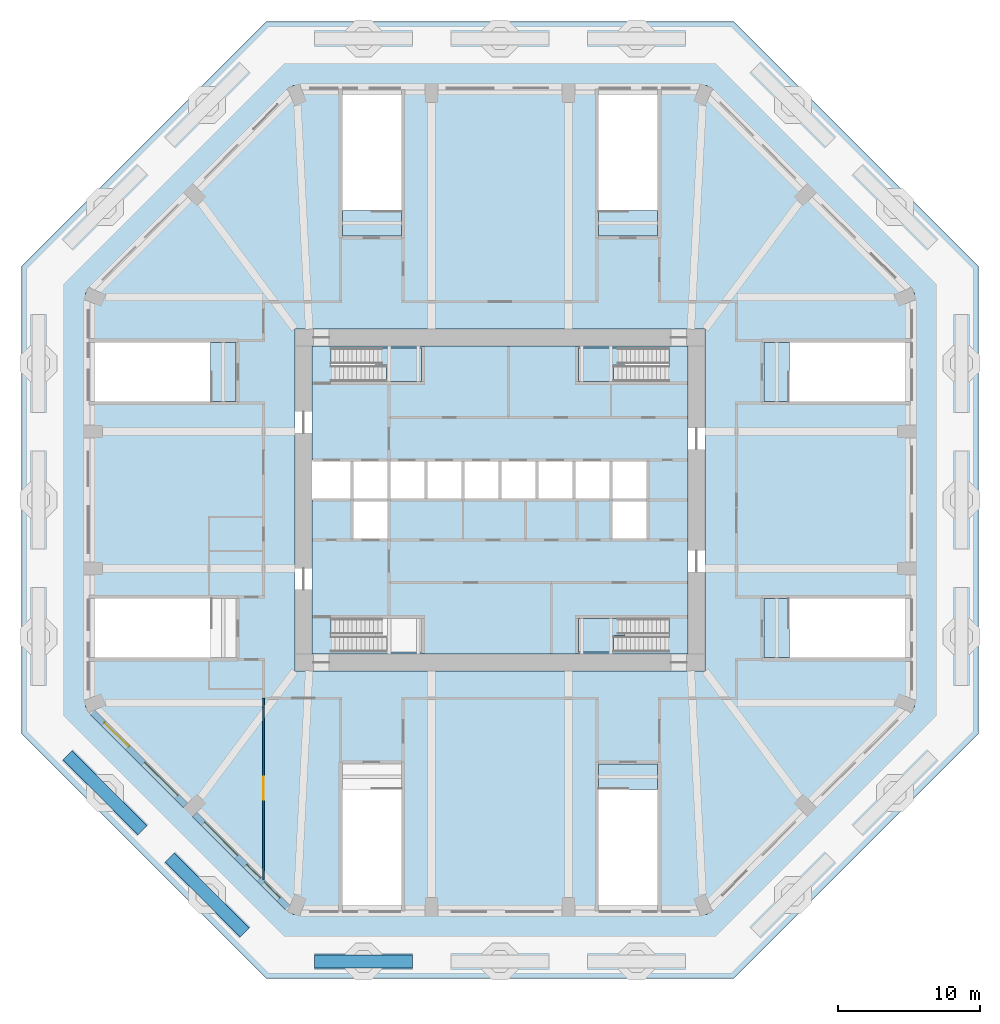
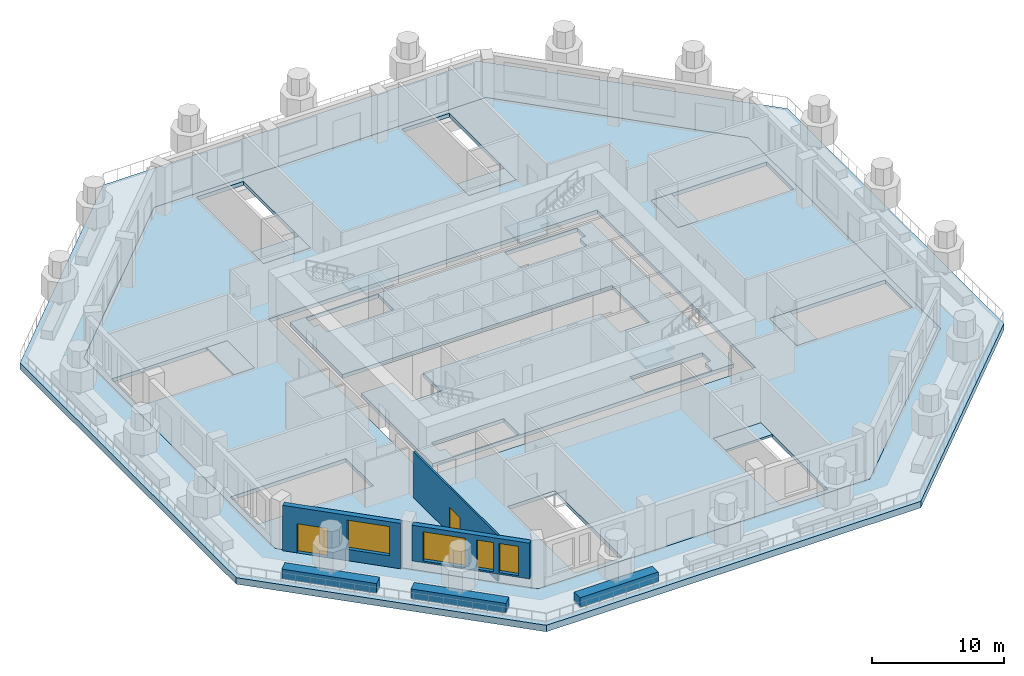
# One storey, part 2 of 13: 12 slabs, 6 walls, 4 windows, 2 doors, 6 openings, 3 elements without a shape of their own.
"""IFC4 building model written with IfcOpenShell, lengths in metres."""

from ifc_helpers import new_model, si_unit, direction, frame, frame_2d, origin, place, context, subcontext, project, spatial, polyline, rectangle, outline, extrude, material, layer, layer_set, type_object, element, fill, aggregate, save


model = new_model("IFC4")

# Units and contexts
model_context = context("Model", 3, precision=1e-05, world=origin(), true_north=direction((0.0, 1.0)))
body_context = subcontext(model_context, "Body", "Model", "MODEL_VIEW")
ifc_project = project(units=[si_unit("LENGTHUNIT", "METRE"), si_unit("AREAUNIT", "SQUARE_METRE"), si_unit("VOLUMEUNIT", "CUBIC_METRE"), si_unit("PLANEANGLEUNIT", "RADIAN"), si_unit("MASSUNIT", "GRAM", prefix="KILO")], contexts=[model_context])

# Site, building, storey
site_placement = place(None, origin())
site = spatial("IfcSite", under=ifc_project, at=site_placement, CompositionType="ELEMENT")
building_placement = place(site_placement, origin())
building = spatial("IfcBuilding", under=site, at=building_placement, Name="Msitu Wima Residences", CompositionType="ELEMENT")
storey_placement = place(building_placement, frame((0.0, 0.0, 21.0)))
storey = spatial("IfcBuildingStorey", under=building, at=storey_placement, Name="L04", CompositionType="ELEMENT", Elevation=21.0)

# Slabs
ifc_material_1 = material(Name="Concrete C40/50", Category="concrete")
ifc_layer_1 = layer(ifc_material_1, 0.35009765625)
ifc_layer_set_1 = layer_set([ifc_layer_1], Name="Concrete C40/50")
slab_type_1 = type_object("IfcSlabType", Name="Core floor CF350", PredefinedType="FLOOR", material=ifc_layer_set_1)
slab_1_placement = place(storey_placement, frame((0.0, 0.0, -0.35009765625)))
element("IfcSlab", 1, at=slab_1_placement, inside=storey, type_object=slab_type_1, Name="Core floor", PredefinedType="FLOOR", context=body_context, shape_type="SweptSolid", body=[
    extrude(outline(polyline([(-13.199951171875, 10.800048828125), (-13.199951171875, 2.800048828125), (-10.39990234375, 2.800048828125), (-7.800048828125, 2.800048828125), (-5.199951171875, 2.800048828125), (-2.60009765625, 2.800048828125), (0.0, 2.800048828125), (2.60009765625, 2.800048828125), (5.199951171875, 2.800048828125), (7.800048828125, 2.800048828125), (10.39990234375, 2.800048828125), (10.39990234375, 0.0), (10.39990234375, -2.800048828125), (7.800048828125, -2.800048828125), (7.800048828125, 0.0), (5.199951171875, 0.0), (2.60009765625, 0.0), (0.0, 0.0), (-2.60009765625, 0.0), (-5.199951171875, 0.0), (-7.800048828125, 0.0), (-7.800048828125, -2.800048828125), (-10.39990234375, -2.800048828125), (-10.39990234375, 0.0), (-13.199951171875, 0.0), (-13.199951171875, -10.800048828125), (13.199951171875, -10.800048828125), (13.199951171875, 10.800048828125), (-13.199951171875, 10.800048828125)]), holes=[polyline([(-11.375, -10.675048828125), (-11.375, -9.574951171875), (-11.87451171875, -9.574951171875), (-11.87451171875, -8.324951171875), (-5.52490234375, -8.324951171875), (-5.52490234375, -10.675048828125), (-11.375, -10.675048828125)]), polyline([(-11.375, 9.425048828125), (-11.87451171875, 9.425048828125), (-11.87451171875, 10.675048828125), (-5.52490234375, 10.675048828125), (-5.52490234375, 8.324951171875), (-11.375, 8.324951171875), (-11.375, 9.425048828125)]), polyline([(11.375, -9.574951171875), (11.375, -10.675048828125), (5.52490234375, -10.675048828125), (5.52490234375, -8.324951171875), (11.87451171875, -8.324951171875), (11.87451171875, -9.574951171875), (11.375, -9.574951171875)]), polyline([(11.375, 9.425048828125), (11.375, 8.324951171875), (5.52490234375, 8.324951171875), (5.52490234375, 10.675048828125), (11.87451171875, 10.675048828125), (11.87451171875, 9.425048828125), (11.375, 9.425048828125)])]), origin(), (0.0, 0.0, 1.0), 0.35009765625),
])
ifc_layer_2 = layer(ifc_material_1, 0.35009765625)
ifc_layer_set_2 = layer_set([ifc_layer_2], Name="Concrete C40/50")
slab_type_2 = type_object("IfcSlabType", Name="PT flat slab 350 Concrete C40/50", PredefinedType="FLOOR", material=ifc_layer_set_2)
slab_2_placement = place(storey_placement, frame((0.0, 0.0, -0.35009765625)))
element("IfcSlab", 2, at=slab_2_placement, inside=storey, type_object=slab_type_2, Name="Floor slab L04", PredefinedType="FLOOR", context=body_context, shape_type="SweptSolid", body=[
    extrude(outline(polyline([(29.10009765625, -14.524169921875), (14.524169921875, -29.10009765625), (-14.524169921875, -29.10009765625), (-29.10009765625, -14.524169921875), (-29.10009765625, 14.524169921875), (-14.524169921875, 29.10009765625), (14.524169921875, 29.10009765625), (29.10009765625, 14.524169921875), (29.10009765625, -14.524169921875)]), holes=[polyline([(-14.39990234375, -12.0), (14.39990234375, -12.0), (14.39990234375, 12.0), (-14.39990234375, 12.0), (-14.39990234375, -12.0)]), polyline([(18.52490234375, 11.074951171875), (28.675048828125, 11.074951171875), (28.675048828125, 6.925048828125), (18.52490234375, 6.925048828125), (18.52490234375, 11.074951171875)]), polyline([(28.675048828125, -6.925048828125), (28.675048828125, -11.074951171875), (18.52490234375, -11.074951171875), (18.52490234375, -6.925048828125), (28.675048828125, -6.925048828125)]), polyline([(-11.074951171875, 18.52490234375), (-11.074951171875, 28.675048828125), (-6.925048828125, 28.675048828125), (-6.925048828125, 18.52490234375), (-11.074951171875, 18.52490234375)]), polyline([(6.925048828125, 28.675048828125), (11.074951171875, 28.675048828125), (11.074951171875, 18.52490234375), (6.925048828125, 18.52490234375), (6.925048828125, 28.675048828125)]), polyline([(-18.52490234375, -11.074951171875), (-28.675048828125, -11.074951171875), (-28.675048828125, -6.925048828125), (-18.52490234375, -6.925048828125), (-18.52490234375, -11.074951171875)]), polyline([(-28.675048828125, 6.925048828125), (-28.675048828125, 11.074951171875), (-18.52490234375, 11.074951171875), (-18.52490234375, 6.925048828125), (-28.675048828125, 6.925048828125)]), polyline([(11.074951171875, -18.52490234375), (11.074951171875, -28.675048828125), (6.925048828125, -28.675048828125), (6.925048828125, -18.52490234375), (11.074951171875, -18.52490234375)]), polyline([(-6.925048828125, -28.675048828125), (-11.074951171875, -28.675048828125), (-11.074951171875, -18.52490234375), (-6.925048828125, -18.52490234375), (-6.925048828125, -28.675048828125)])]), origin(), (0.0, 0.0, 1.0), 0.35009765625),
])

# Stair, slab
stair_type = type_object("IfcStairType", Name="Exit stair ES1667-110", PredefinedType="HALF_TURN_STAIR", material=ifc_material_1)
stair_1_placement = place(storey_placement, origin())
stair_1 = element("IfcStair", 3, at=stair_1_placement, inside=storey, type_object=stair_type, Name="Exit stair 1", PredefinedType="HALF_TURN_STAIR")
ifc_layer_3 = layer(ifc_material_1, 0.199951171875)
ifc_layer_set_3 = layer_set([ifc_layer_3], Name="Concrete C40/50")
slab_type_3 = type_object("IfcSlabType", Name="Stair landing SL200", PredefinedType="LANDING", material=ifc_layer_set_3)
slab_3_placement = place(storey_placement, frame((0.0, 0.0, 2.13330078125)))
slab_3 = element("IfcSlab", 4, at=slab_3_placement, type_object=slab_type_3, Name="S1 landing 1", PredefinedType="LANDING", context=body_context, shape_type="SweptSolid", body=[
    extrude(outline(polyline([(-5.52490234375, 8.324951171875), (-7.9755859375, 8.324951171875), (-7.9755859375, 9.5), (-8.77490234375, 9.5), (-8.77490234375, 10.675048828125), (-5.52490234375, 10.675048828125), (-5.52490234375, 8.324951171875)])), origin(), (0.0, 0.0, 1.0), 0.199951171875),
])
aggregate(stair_1, [slab_3])

stair_2_placement = place(storey_placement, origin())
stair_2 = element("IfcStair", 5, at=stair_2_placement, inside=storey, type_object=stair_type, Name="Exit stair 3", PredefinedType="HALF_TURN_STAIR")
slab_4_placement = place(storey_placement, frame((0.0, 0.0, 2.13330078125)))
slab_4 = element("IfcSlab", 6, at=slab_4_placement, type_object=slab_type_3, Name="S3 landing 1", PredefinedType="LANDING", context=body_context, shape_type="SweptSolid", body=[
    extrude(outline(polyline([(5.52490234375, 8.324951171875), (7.9755859375, 8.324951171875), (7.9755859375, 9.5), (8.77490234375, 9.5), (8.77490234375, 10.675048828125), (5.52490234375, 10.675048828125), (5.52490234375, 8.324951171875)])), origin(), (0.0, 0.0, 1.0), 0.199951171875),
])
aggregate(stair_2, [slab_4])

stair_3_placement = place(storey_placement, origin())
stair_3 = element("IfcStair", 7, at=stair_3_placement, inside=storey, type_object=stair_type, Name="Exit stair 4", PredefinedType="HALF_TURN_STAIR")
slab_5_placement = place(storey_placement, frame((0.0, 0.0, 2.13330078125)))
slab_5 = element("IfcSlab", 8, at=slab_5_placement, type_object=slab_type_3, Name="S4 landing 1", PredefinedType="LANDING", context=body_context, shape_type="SweptSolid", body=[
    extrude(outline(polyline([(5.52490234375, -10.675048828125), (7.9755859375, -10.675048828125), (7.9755859375, -9.5), (8.77490234375, -9.5), (8.77490234375, -8.324951171875), (5.52490234375, -8.324951171875), (5.52490234375, -10.675048828125)])), origin(), (0.0, 0.0, 1.0), 0.199951171875),
])
aggregate(stair_3, [slab_5])

# Slabs
slab_6_placement = place(storey_placement, frame((0.0, 0.0, -0.199951171875)))
element("IfcSlab", 9, at=slab_6_placement, inside=storey, type_object=slab_type_3, Name="Podium exit stair 1 floor landing", PredefinedType="LANDING", context=body_context, shape_type="SweptSolid", body=[
    extrude(outline(polyline([(18.52490234375, 6.925048828125), (20.324951171875, 6.925048828125), (20.324951171875, 11.074951171875), (18.52490234375, 11.074951171875), (18.52490234375, 6.925048828125)])), origin(), (0.0, 0.0, 1.0), 0.199951171875),
])
slab_7_placement = place(storey_placement, frame((0.0, 0.0, -0.199951171875)))
element("IfcSlab", 10, at=slab_7_placement, inside=storey, type_object=slab_type_3, Name="Podium exit stair 2 floor landing", PredefinedType="LANDING", context=body_context, shape_type="SweptSolid", body=[
    extrude(outline(polyline([(18.52490234375, -6.925048828125), (20.324951171875, -6.925048828125), (20.324951171875, -11.074951171875), (18.52490234375, -11.074951171875), (18.52490234375, -6.925048828125)])), origin(), (0.0, 0.0, 1.0), 0.199951171875),
])
slab_8_placement = place(storey_placement, frame((0.0, 0.0, -0.199951171875)))
element("IfcSlab", 11, at=slab_8_placement, inside=storey, type_object=slab_type_3, Name="Podium exit stair 3 floor landing", PredefinedType="LANDING", context=body_context, shape_type="SweptSolid", body=[
    extrude(outline(polyline([(-6.925048828125, 18.52490234375), (-6.925048828125, 20.324951171875), (-11.074951171875, 20.324951171875), (-11.074951171875, 18.52490234375), (-6.925048828125, 18.52490234375)])), origin(), (0.0, 0.0, 1.0), 0.199951171875),
])
slab_9_placement = place(storey_placement, frame((0.0, 0.0, -0.199951171875)))
element("IfcSlab", 12, at=slab_9_placement, inside=storey, type_object=slab_type_3, Name="Podium exit stair 4 floor landing", PredefinedType="LANDING", context=body_context, shape_type="SweptSolid", body=[
    extrude(outline(polyline([(6.925048828125, 18.52490234375), (6.925048828125, 20.324951171875), (11.074951171875, 20.324951171875), (11.074951171875, 18.52490234375), (6.925048828125, 18.52490234375)])), origin(), (0.0, 0.0, 1.0), 0.199951171875),
])
slab_10_placement = place(storey_placement, frame((0.0, 0.0, -0.199951171875)))
element("IfcSlab", 13, at=slab_10_placement, inside=storey, type_object=slab_type_3, Name="Podium exit stair 6 floor landing", PredefinedType="LANDING", context=body_context, shape_type="SweptSolid", body=[
    extrude(outline(polyline([(-18.52490234375, 6.925048828125), (-20.324951171875, 6.925048828125), (-20.324951171875, 11.074951171875), (-18.52490234375, 11.074951171875), (-18.52490234375, 6.925048828125)])), origin(), (0.0, 0.0, 1.0), 0.199951171875),
])
slab_11_placement = place(storey_placement, frame((0.0, 0.0, -0.199951171875)))
element("IfcSlab", 14, at=slab_11_placement, inside=storey, type_object=slab_type_3, Name="Podium exit stair 7 floor landing", PredefinedType="LANDING", context=body_context, shape_type="SweptSolid", body=[
    extrude(outline(polyline([(6.925048828125, -18.52490234375), (6.925048828125, -20.324951171875), (11.074951171875, -20.324951171875), (11.074951171875, -18.52490234375), (6.925048828125, -18.52490234375)])), origin(), (0.0, 0.0, 1.0), 0.199951171875),
])
ifc_layer_4 = layer(ifc_material_1, 0.60009765625)
ifc_layer_set_4 = layer_set([ifc_layer_4], Name="Concrete C40/50")
slab_type_4 = type_object("IfcSlabType", Name="Terrace roof slab TS600", PredefinedType="ROOF", material=ifc_layer_set_4)
slab_12_placement = place(storey_placement, frame((0.0, 0.0, -0.60009765625)))
element("IfcSlab", 15, at=slab_12_placement, inside=storey, type_object=slab_type_4, Name="Garden terrace L03 roof slab", PredefinedType="ROOF", context=body_context, shape_type="SweptSolid", body=[
    extrude(outline(polyline([(16.38818359375, -33.60009765625), (-16.38818359375, -33.60009765625), (-33.60009765625, -16.38818359375), (-33.60009765625, 16.38818359375), (-16.38818359375, 33.60009765625), (16.38818359375, 33.60009765625), (33.60009765625, 16.38818359375), (33.60009765625, -16.38818359375), (16.38818359375, -33.60009765625)]), holes=[polyline([(29.10009765625, 14.524169921875), (14.524169921875, 29.10009765625), (-14.524169921875, 29.10009765625), (-29.10009765625, 14.524169921875), (-29.10009765625, -14.524169921875), (-14.524169921875, -29.10009765625), (14.524169921875, -29.10009765625), (29.10009765625, -14.524169921875), (29.10009765625, 14.524169921875)])]), origin(), (0.0, 0.0, 1.0), 0.60009765625),
])

# Wall, openings, door, window
ifc_material_2 = material(Name="Brick (red buff mix), cavity wall of two leaves", Category="masonry")
ifc_layer_5 = layer(ifc_material_2, 0.449951171875)
ifc_layer_set_5 = layer_set([ifc_layer_5], Name="Brick (red buff mix), cavity wall of two leaves")
wall_type_1 = type_object("IfcWallType", Name="Brick infill wall BW450 podium", PredefinedType="ELEMENTEDWALL", material=ifc_layer_set_5)
wall_1_placement = place(storey_placement, frame((-28.61474609375, -14.903564453125, 0.0), z_axis=(0.0, 0.0, 1.0), x_axis=(0.707106781187, -0.707106781187, 0.0)))
wall_1 = element("IfcWall", 16, at=wall_1_placement, inside=storey, type_object=wall_type_1, Name="Brick infill wall L04 SW0", PredefinedType="ELEMENTEDWALL", context=body_context, shape_type="SweptSolid", body=[
    extrude(rectangle(XDim=9.2451171875, YDim=0.449951171875, at=frame_2d((4.62255859375, 0.0))), origin(), (0.0, 0.0, 1.0), 4.199951171875),
])
opening_1_placement = place(wall_1_placement, frame((1.111328125, 0.0, 0.0)))
opening_1 = element("IfcOpeningElement", 17, at=opening_1_placement, cuts=wall_1, Name="Opening D04.007", PredefinedType="OPENING", context=body_context, shape_type="SweptSolid", body=[
    extrude(rectangle(XDim=2.39990234375, YDim=2.699951171875, at=frame_2d((1.199951171875, 1.35009765625))), frame((0.0, 0.23486328125, 0.0), z_axis=(0.0, -1.0, 0.0), x_axis=(1.0, 0.0, 0.0)), (0.0, 0.0, 1.0), 0.469970703125),
])
opening_2_placement = place(wall_1_placement, frame((5.072509765625, 0.0, 1.050048828125)))
opening_2 = element("IfcOpeningElement", 18, at=opening_2_placement, cuts=wall_1, Name="Opening W04.031", PredefinedType="OPENING", context=body_context, shape_type="SweptSolid", body=[
    extrude(rectangle(XDim=3.300048828125, YDim=2.699951171875, at=frame_2d((1.64990234375, 1.35009765625))), frame((0.0, 0.23486328125, 0.0), z_axis=(0.0, -1.0, 0.0), x_axis=(1.0, 0.0, 0.0)), (0.0, 0.0, 1.0), 0.469970703125),
])
ifc_material_3 = material(Name="Anodised aluminium, bronze finish, clear low-emissivity double glazing", Category="aluminium")
door_type_1 = type_object("IfcDoorType", Name="Balcony door D2400x2700", OperationType="SLIDING_TO_LEFT", PredefinedType="DOOR", material=ifc_material_3)
door_1_placement = place(opening_1_placement, origin())
door_1 = element("IfcDoor", 19, at=door_1_placement, inside=storey, type_object=door_type_1, Name="Terrace door L04 SW0", OperationType="SINGLE_SWING_LEFT", OverallHeight=2.699951171875, OverallWidth=2.39990234375, PredefinedType="DOOR", context=body_context, shape_type="SweptSolid", body=[
    extrude(rectangle(XDim=2.39990234375, YDim=2.699951171875, at=frame_2d((1.199951171875, 1.35009765625))), frame((0.0, 0.1298828125, 0.0), z_axis=(0.0, -1.0, 0.0), x_axis=(1.0, 0.0, 0.0)), (0.0, 0.0, 1.0), 0.050048828125),
])
fill(opening_1, door_1)
window_type_1 = type_object("IfcWindowType", Name="Window W3300x2700", PartitioningType="DOUBLE_PANEL_VERTICAL", PredefinedType="WINDOW", material=ifc_material_3)
window_1_placement = place(opening_2_placement, origin())
window_1 = element("IfcWindow", 20, at=window_1_placement, inside=storey, type_object=window_type_1, Name="Window L04 SW0.2", OverallHeight=2.699951171875, OverallWidth=3.300048828125, PartitioningType="SINGLE_PANEL", PredefinedType="WINDOW", context=body_context, shape_type="SweptSolid", body=[
    extrude(rectangle(XDim=3.300048828125, YDim=2.699951171875, at=frame_2d((1.64990234375, 1.35009765625))), frame((0.0, 0.135009765625, 0.0), z_axis=(0.0, -1.0, 0.0), x_axis=(1.0, 0.0, 0.0)), (0.0, 0.0, 1.0), 0.06005859375),
])
fill(opening_2, window_1)

# Wall, openings, windows
wall_2_placement = place(storey_placement, frame((-21.44091796875, -22.077392578125, 0.89990234375), z_axis=(0.0, 0.0, 1.0), x_axis=(0.707106781187, -0.707106781187, 0.0)))
wall_2 = element("IfcWall", 21, at=wall_2_placement, inside=storey, type_object=wall_type_1, Name="Brick infill wall L04 SW1", PredefinedType="ELEMENTEDWALL", context=body_context, shape_type="SweptSolid", body=[
    extrude(rectangle(XDim=9.2451171875, YDim=0.449951171875, at=frame_2d((4.62255859375, 0.0))), origin(), (0.0, 0.0, 1.0), 3.300048828125),
])
opening_3_placement = place(wall_2_placement, frame((0.87255859375, 0.0, 0.14990234375)))
opening_3 = element("IfcOpeningElement", 22, at=opening_3_placement, cuts=wall_2, Name="Opening W04.032", PredefinedType="OPENING", context=body_context, shape_type="SweptSolid", body=[
    extrude(rectangle(XDim=3.300048828125, YDim=2.699951171875, at=frame_2d((1.64990234375, 1.35009765625))), frame((0.0, 0.23486328125, 0.0), z_axis=(0.0, -1.0, 0.0), x_axis=(1.0, 0.0, 0.0)), (0.0, 0.0, 1.0), 0.469970703125),
])
opening_4_placement = place(wall_2_placement, frame((5.072509765625, 0.0, 0.14990234375)))
opening_4 = element("IfcOpeningElement", 23, at=opening_4_placement, cuts=wall_2, Name="Opening W04.033", PredefinedType="OPENING", context=body_context, shape_type="SweptSolid", body=[
    extrude(rectangle(XDim=1.35009765625, YDim=2.699951171875, at=frame_2d((0.675048828125, 1.35009765625))), frame((0.0, 0.23486328125, 0.0), z_axis=(0.0, -1.0, 0.0), x_axis=(1.0, 0.0, 0.0)), (0.0, 0.0, 1.0), 0.469970703125),
])
opening_5_placement = place(wall_2_placement, frame((6.820556640625, 0.0, 0.14990234375)))
opening_5 = element("IfcOpeningElement", 24, at=opening_5_placement, cuts=wall_2, Name="Opening W04.034", PredefinedType="OPENING", context=body_context, shape_type="SweptSolid", body=[
    extrude(rectangle(XDim=1.550048828125, YDim=2.699951171875, at=frame_2d((0.77490234375, 1.35009765625))), frame((0.0, 0.23486328125, 0.0), z_axis=(0.0, -1.0, 0.0), x_axis=(1.0, 0.0, 0.0)), (0.0, 0.0, 1.0), 0.469970703125),
])
window_type_2 = type_object("IfcWindowType", Name="Window W1350x2700", PartitioningType="DOUBLE_PANEL_VERTICAL", PredefinedType="WINDOW", material=ifc_material_3)
window_2_placement = place(opening_4_placement, origin())
window_2 = element("IfcWindow", 25, at=window_2_placement, inside=storey, type_object=window_type_2, Name="Window L04 SW1.2a", OverallHeight=2.699951171875, OverallWidth=1.35009765625, PartitioningType="SINGLE_PANEL", PredefinedType="WINDOW", context=body_context, shape_type="SweptSolid", body=[
    extrude(rectangle(XDim=1.35009765625, YDim=2.699951171875, at=frame_2d((0.675048828125, 1.35009765625))), frame((0.0, 0.135009765625, 0.0), z_axis=(0.0, -1.0, 0.0), x_axis=(1.0, 0.0, 0.0)), (0.0, 0.0, 1.0), 0.06005859375),
])
fill(opening_4, window_2)
window_type_3 = type_object("IfcWindowType", Name="Window W1550x2700", PartitioningType="DOUBLE_PANEL_VERTICAL", PredefinedType="WINDOW", material=ifc_material_3)
window_3_placement = place(opening_5_placement, origin())
window_3 = element("IfcWindow", 26, at=window_3_placement, inside=storey, type_object=window_type_3, Name="Window L04 SW1.2b", OverallHeight=2.699951171875, OverallWidth=1.550048828125, PartitioningType="SINGLE_PANEL", PredefinedType="WINDOW", context=body_context, shape_type="SweptSolid", body=[
    extrude(rectangle(XDim=1.550048828125, YDim=2.699951171875, at=frame_2d((0.77490234375, 1.35009765625))), frame((0.0, 0.135009765625, 0.0), z_axis=(0.0, -1.0, 0.0), x_axis=(1.0, 0.0, 0.0)), (0.0, 0.0, 1.0), 0.06005859375),
])
fill(opening_5, window_3)
window_4_placement = place(opening_3_placement, origin())
window_4 = element("IfcWindow", 27, at=window_4_placement, inside=storey, type_object=window_type_1, Name="Window L04 SW1.1", OverallHeight=2.699951171875, OverallWidth=3.300048828125, PartitioningType="SINGLE_PANEL", PredefinedType="WINDOW", context=body_context, shape_type="SweptSolid", body=[
    extrude(rectangle(XDim=3.300048828125, YDim=2.699951171875, at=frame_2d((1.64990234375, 1.35009765625))), frame((0.0, 0.135009765625, 0.0), z_axis=(0.0, -1.0, 0.0), x_axis=(1.0, 0.0, 0.0)), (0.0, 0.0, 1.0), 0.06005859375),
])
fill(opening_3, window_4)

# Wall, opening, door
ifc_material_4 = material(Name="Plaster")
ifc_layer_6 = layer(ifc_material_4, 0.011962890625, Name="Plaster")
ifc_material_5 = material(Name="Concrete blockwork", Category="masonry")
ifc_layer_7 = layer(ifc_material_5, 0.1259765625, Name="Concrete blockwork")
ifc_layer_8 = layer(ifc_material_4, 0.011962890625, Name="Plaster")
ifc_layer_set_6 = layer_set([ifc_layer_6, ifc_layer_7, ifc_layer_8], Name="Concrete blockwork")
wall_type_2 = type_object("IfcWallType", Name="Partition PW150", PredefinedType="PARTITIONING", material=ifc_layer_set_6)
wall_3_placement = place(storey_placement, frame((-16.60009765625, -26.677734375, 0.0), z_axis=(0.0, 0.0, 1.0), x_axis=(0.0, 1.0, 0.0)))
wall_3 = element("IfcWall", 28, at=wall_3_placement, inside=storey, type_object=wall_type_2, Name="Partition", PredefinedType="PARTITIONING", context=body_context, shape_type="SweptSolid", body=[
    extrude(rectangle(XDim=12.76416015625, YDim=0.14990234375, at=frame_2d((6.382080078125, 0.0))), origin(), (0.0, 0.0, 1.0), 4.25),
])
opening_6_placement = place(wall_3_placement, frame((5.64990234375, 0.0, 0.0)))
opening_6 = element("IfcOpeningElement", 29, at=opening_6_placement, cuts=wall_3, Name="Opening D04.036", PredefinedType="OPENING", context=body_context, shape_type="SweptSolid", body=[
    extrude(rectangle(XDim=1.60009765625, YDim=2.39990234375, at=frame_2d((0.800048828125, 1.199951171875))), frame((0.0, 0.0849609375, 0.0), z_axis=(0.0, -1.0, 0.0), x_axis=(1.0, 0.0, 0.0)), (0.0, 0.0, 1.0), 0.169921875),
])
ifc_material_6 = material(Name="Black aluminium glazed door", Category="aluminium")
door_type_2 = type_object("IfcDoorType", Name="Amenity door D10 1600x2400", OperationType="DOUBLE_DOOR_SINGLE_SWING", PredefinedType="DOOR", material=ifc_material_6)
door_2_placement = place(opening_6_placement, origin())
door_2 = element("IfcDoor", 30, at=door_2_placement, inside=storey, type_object=door_type_2, Name="Amenity door", OperationType="DOUBLE_DOOR_SINGLE_SWING", OverallHeight=2.39990234375, OverallWidth=1.60009765625, PredefinedType="DOOR", context=body_context, shape_type="SweptSolid", body=[
    extrude(rectangle(XDim=1.60009765625, YDim=2.39990234375, at=frame_2d((0.800048828125, 1.199951171875))), frame((0.0, 0.02490234375, 0.0), z_axis=(0.0, -1.0, 0.0), x_axis=(1.0, 0.0, 0.0)), (0.0, 0.0, 1.0), 0.050048828125),
])
fill(opening_6, door_2)

# Walls
ifc_material_7 = material(Name="Facing brick")
ifc_layer_9 = layer(ifc_material_7, 0.06494140625, Name="Facing brick")
ifc_layer_10 = layer(ifc_material_1, 0.381103515625, Name="Concrete C40/50")
ifc_material_8 = material(Name="Waterproofing membrane")
ifc_layer_11 = layer(ifc_material_8, 0.00390625, Name="Waterproofing membrane")
ifc_material_9 = material(Name="Planting soil and planting")
ifc_layer_12 = layer(ifc_material_9, 0.449951171875, Name="Planting soil and planting")
ifc_layer_set_7 = layer_set([ifc_layer_9, ifc_layer_10, ifc_layer_11, ifc_layer_12], Name="Concrete C40/50")
wall_type_3 = type_object("IfcWallType", Name="Terrace planter PLANTER PL900", PredefinedType="USERDEFINED", material=ifc_layer_set_7)
for number, where, z_axis, x_axis, name in (
    (31, (-30.36474609375, -17.926513671875, 0.0), (0.0, 0.0, 1.0), (0.707123176915, -0.707090385078, 0.0), "Terrace planter L04 SW0"),
    (32, (-23.19091796875, -25.10009765625, 0.0), (0.0, 0.0, 1.0), (0.707090385078, -0.707123176915, 0.0), "Terrace planter L04 SW1"),
):
    element("IfcWall", number, at=place(storey_placement, frame(where, z_axis=z_axis, x_axis=x_axis)), inside=storey, type_object=wall_type_3, Name=name, ObjectType="PLANTER", PredefinedType="USERDEFINED", context=body_context, shape_type="SweptSolid", body=[
        extrude(rectangle(XDim=7.445068359375, YDim=0.89990234375, at=frame_2d((3.72265625, 0.0))), origin(), (0.0, 0.0, 1.0), 0.89990234375),
    ])
wall_4_placement = place(storey_placement, frame((-13.012939453125, -32.39990234375, 0.0), z_axis=(0.0, 0.0, 1.0), x_axis=(1.0, 0.0, 0.0)))
element("IfcWall", 33, at=wall_4_placement, inside=storey, type_object=wall_type_3, Name="Terrace planter L04 S0", ObjectType="PLANTER", PredefinedType="USERDEFINED", context=body_context, shape_type="SweptSolid", body=[
    extrude(rectangle(XDim=6.863037109375, YDim=0.89990234375, at=frame_2d((3.431640625, 0.0))), origin(), (0.0, 0.0, 1.0), 0.89990234375),
])

save(model, "model.ifc")
